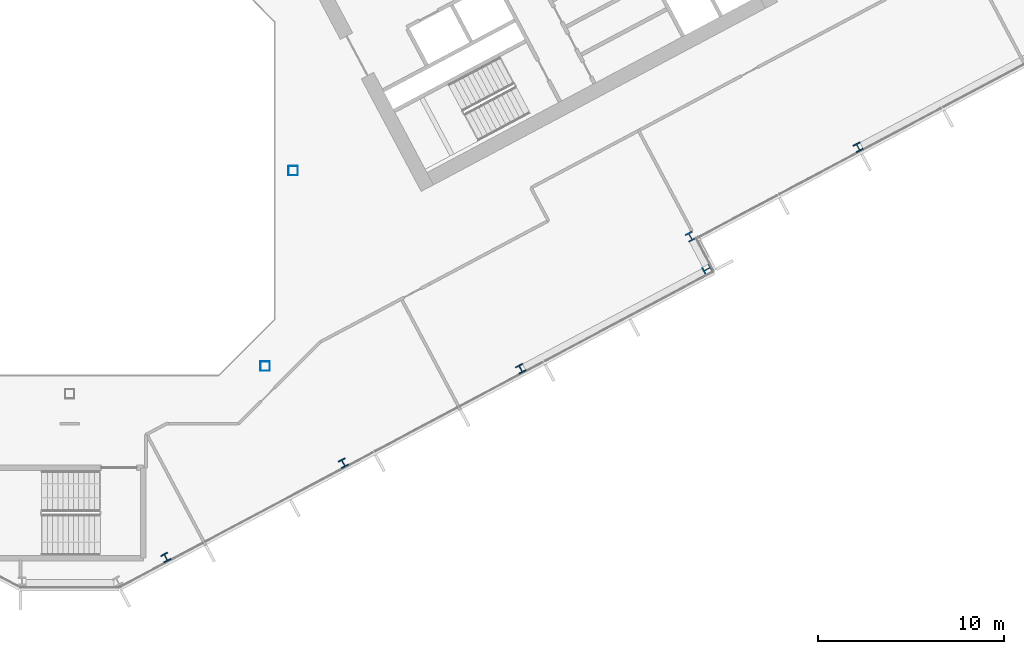
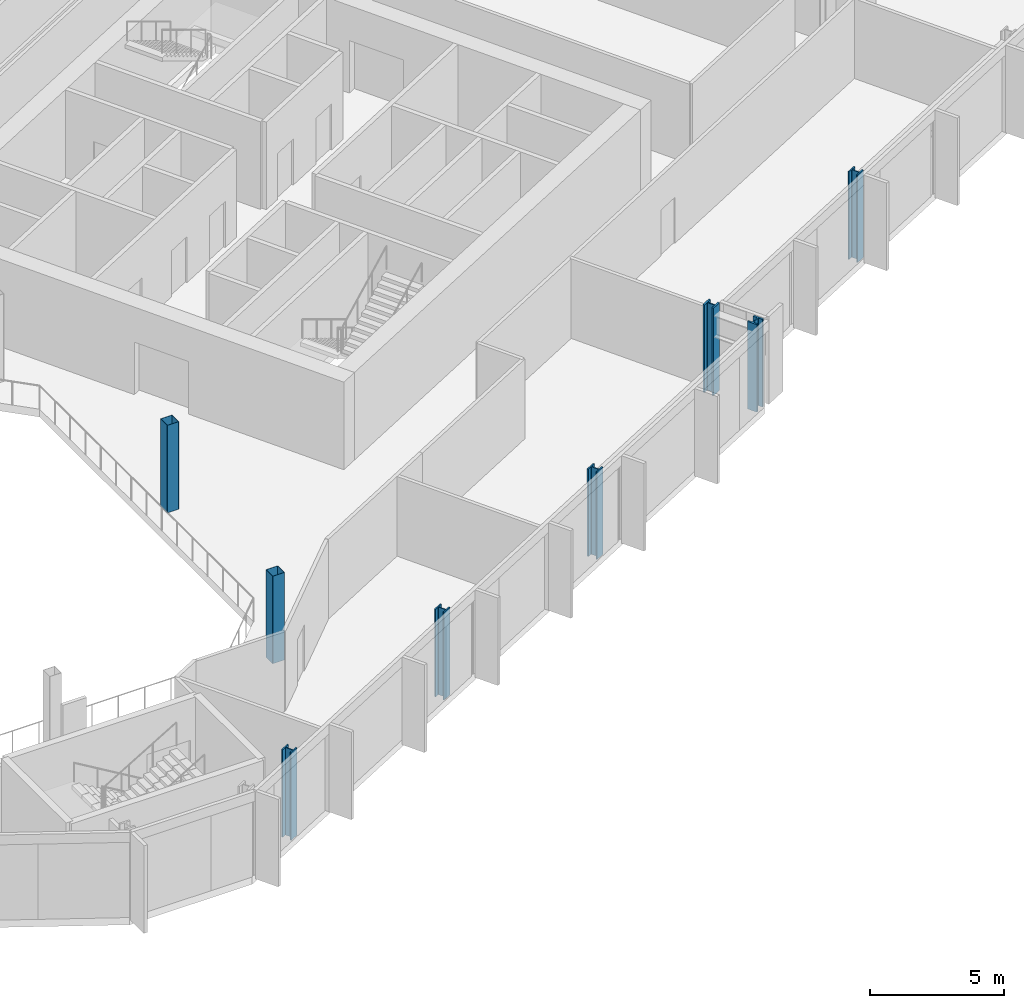
# One storey, part 5 of 28: 8 columns.
"""IFC4 building model written with IfcOpenShell, lengths in metres."""

from ifc_helpers import new_model, si_unit, direction, frame, origin, origin_2d, place, context, subcontext, project, spatial, hollow_rectangle, i_section, extrude, material, material_profile, profile_set, type_object, element, save


model = new_model("IFC4")

# Units and contexts
model_context = context("Model", 3, precision=1e-05, world=origin(), true_north=direction((0.0, 1.0)))
body_context = subcontext(model_context, "Body", "Model", "MODEL_VIEW")
ifc_project = project(units=[si_unit("LENGTHUNIT", "METRE"), si_unit("AREAUNIT", "SQUARE_METRE"), si_unit("VOLUMEUNIT", "CUBIC_METRE"), si_unit("PLANEANGLEUNIT", "RADIAN"), si_unit("MASSUNIT", "GRAM", prefix="KILO")], contexts=[model_context])

# Site, building, storey
site_placement = place(None, origin())
site = spatial("IfcSite", under=ifc_project, at=site_placement, CompositionType="ELEMENT")
building_placement = place(site_placement, origin())
building = spatial("IfcBuilding", under=site, at=building_placement, Name="Cormorant Relay Tower", CompositionType="ELEMENT")
storey_placement = place(building_placement, frame((0.0, 0.0, 158.199951171875)))
storey = spatial("IfcBuildingStorey", under=building, at=storey_placement, Name="L33", CompositionType="ELEMENT", Elevation=158.199951171875)

# Columns
ifc_material_1 = material(Name="Steel ASTM A500 Grade C (Fy 345 MPa)", Category="steel")
ifc_material_profile_1 = material_profile(ifc_material_1, hollow_rectangle(XDim=0.508056640625, YDim=0.508056640625, WallThickness=0.01171875, InnerFilletRadius=0.005859375, OuterFilletRadius=0.017822265625, at=origin_2d()), Name="HSS508x508x12")
ifc_profile_set_1 = profile_set([ifc_material_profile_1], Name="Steel ASTM A500 Grade C (Fy 345 MPa)")
column_type_1 = type_object("IfcColumnType", Name="Column HSS508x508x12", PredefinedType="COLUMN", material=ifc_profile_set_1)
for number, where, z_axis, x_axis, name in (
    (1, (10.5, -10.5, 0.0), (0.0, 0.0, 1.0), (1.0, 0.0, 0.0), "Column L33-010"),
    (2, (12.0, 0.0, 0.0), (0.0, 0.0, 1.0), (1.0, 0.0, 0.0), "Column L33-016"),
):
    element("IfcColumn", number, at=place(storey_placement, frame(where, z_axis=z_axis, x_axis=x_axis)), inside=storey, type_object=column_type_1, Name=name, PredefinedType="COLUMN", context=body_context, shape_type="SweptSolid", body=[
        extrude(hollow_rectangle(XDim=0.508056640625, YDim=0.508056640625, WallThickness=0.01171875, InnerFilletRadius=0.005859375, OuterFilletRadius=0.017822265625, at=origin_2d()), origin(), (0.0, 0.0, 1.0), 4.0),
    ])
ifc_material_2 = material(Name="Steel ASTM A992 (Fy 345 MPa)", Category="steel")
ifc_material_profile_2 = material_profile(ifc_material_2, i_section(OverallWidth=0.41162109375, OverallDepth=0.434326171875, WebThickness=0.035888671875, FlangeThickness=0.057373046875, FilletRadius=0.01513671875, at=origin_2d()), Name="W360x463")
ifc_profile_set_2 = profile_set([ifc_material_profile_2], Name="Steel ASTM A992 (Fy 345 MPa)")
column_type_2 = type_object("IfcColumnType", Name="Column W360x463", PredefinedType="COLUMN", material=ifc_profile_set_2)
for number, where, z_axis, x_axis, name in (
    (3, (5.1640625, -20.7890625, 0.0), (0.0, 0.0, 1.0), (0.882947592859, 0.469471562786, 0.0), "Column L33-003"),
    (4, (14.699951171875, -15.718994140625, 0.0), (0.0, 0.0, 1.0), (0.882947592859, 0.469471562786, 0.0), "Column L33-005"),
    (5, (24.236083984375, -10.64794921875, 0.0), (0.0, 0.0, 1.0), (0.882947592859, 0.469471562786, 0.0), "Column L33-008"),
    (6, (42.368896484375, 1.258056640625, 0.0), (0.0, 0.0, 1.0), (0.882947592859, 0.469471562786, 0.0), "Column L33-017"),
):
    element("IfcColumn", number, at=place(storey_placement, frame(where, z_axis=z_axis, x_axis=x_axis)), inside=storey, type_object=column_type_2, Name=name, PredefinedType="COLUMN", context=body_context, shape_type="SweptSolid", body=[
        extrude(i_section(OverallWidth=0.41162109375, OverallDepth=0.434326171875, WebThickness=0.035888671875, FlangeThickness=0.057373046875, FilletRadius=0.01513671875, at=origin_2d()), origin(), (0.0, 0.0, 1.0), 4.0),
    ])
ifc_material_3 = material(Name="Steel ASTM A992 (Fy 345 MPa)", Category="steel")
ifc_material_profile_3 = material_profile(ifc_material_3, i_section(OverallWidth=0.42431640625, OverallDepth=0.47509765625, WebThickness=0.0478515625, FlangeThickness=0.0771484375, FilletRadius=0.014892578125, at=origin_2d()), Name="W360x634")
ifc_profile_set_3 = profile_set([ifc_material_profile_3], Name="Steel ASTM A992 (Fy 345 MPa)")
column_type_3 = type_object("IfcColumnType", Name="Column W360x634", PredefinedType="COLUMN", material=ifc_profile_set_3)
for number, where, z_axis, x_axis, name in (
    (7, (34.256103515625, -5.297119140625, 0.0), (0.0, 0.0, 1.0), (-0.469471562786, 0.882947592859, 0.0), "Column L33-012"),
    (8, (33.35595703125, -3.54296875, 0.0), (0.0, 0.0, 1.0), (0.882947592859, 0.469471562786, 0.0), "Column L33-014"),
):
    element("IfcColumn", number, at=place(storey_placement, frame(where, z_axis=z_axis, x_axis=x_axis)), inside=storey, type_object=column_type_3, Name=name, PredefinedType="COLUMN", context=body_context, shape_type="SweptSolid", body=[
        extrude(i_section(OverallWidth=0.42431640625, OverallDepth=0.47509765625, WebThickness=0.0478515625, FlangeThickness=0.0771484375, FilletRadius=0.014892578125, at=origin_2d()), origin(), (0.0, 0.0, 1.0), 4.0),
    ])

save(model, "model.ifc")
